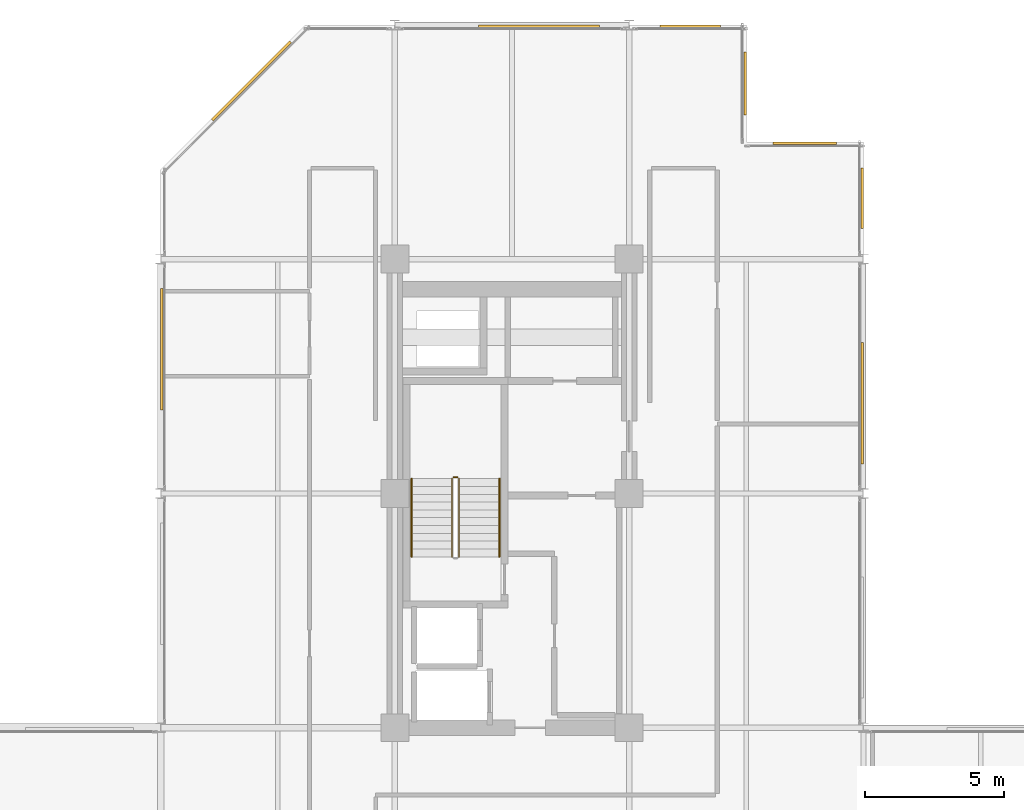
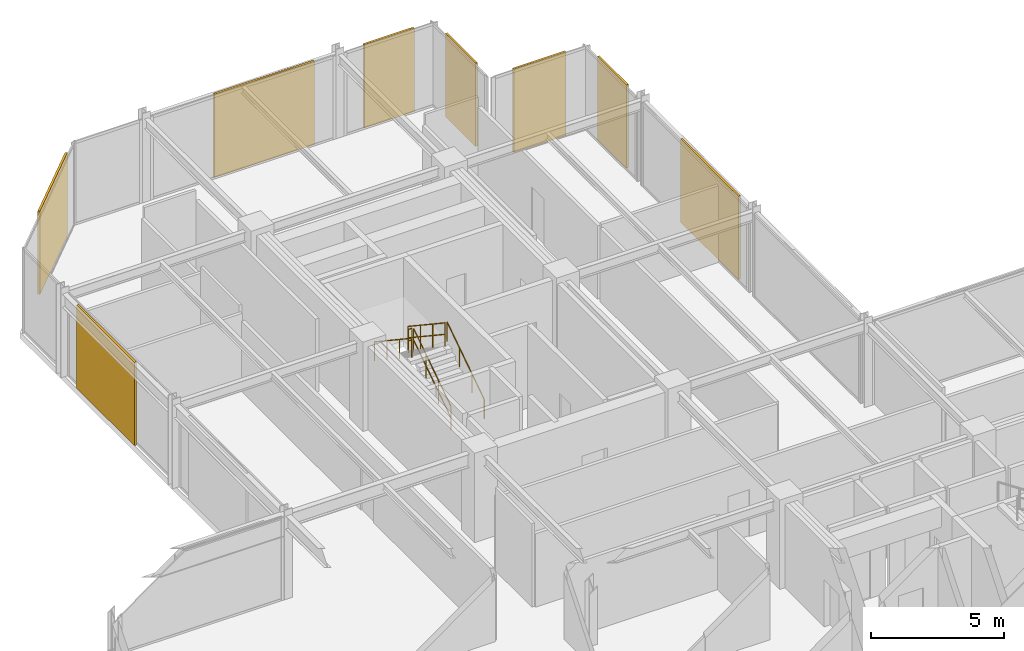
# One storey, part 29 of 29: 8 coverings, 5 railings.
"""IFC4 building model written with IfcOpenShell, lengths in metres."""

import ifcopenshell
import ifcopenshell.guid

model = None  # the IFC model being written
_history = None  # IfcOwnerHistory: only IFC2X3 demands one
_inside = {}  # id of a spatial element -> (the spatial element, [elements in it])
_under = {}  # id of a project, library or spatial element -> (it, [spatial elements below it])
_declared = {}  # id of a project -> (the project, [libraries it declares])
_typed = {}  # id of a type object -> (the type object, [elements of that type])
_made_of = {}  # id of a material, layer set ... -> (it, [elements and type objects made of it])


def new_model(schema):
    """Start an empty IFC model of exactly this schema.

    Asked for "IFC4X3", IfcOpenShell would pick the latest addendum, in which some entities
    have other attributes; the version numbers below select the first issue.
    IFC2X3 requires an IfcOwnerHistory on every rooted entity: one is made here for all.
    """
    global model, _history
    if schema == "IFC4X3":
        model = ifcopenshell.file(schema_version=(4, 3, 0, 0))
    else:
        model = ifcopenshell.file(schema=schema)
    _inside.clear()
    _under.clear()
    _declared.clear()
    _typed.clear()
    _made_of.clear()
    _history = None
    if model.schema == "IFC2X3":
        org = make("IfcOrganization", Name="unknown")
        user = make(
            "IfcPersonAndOrganization",
            ThePerson=make("IfcPerson", FamilyName="unknown"),
            TheOrganization=org,
        )
        app = make(
            "IfcApplication",
            ApplicationDeveloper=org,
            Version="unknown",
            ApplicationFullName="unknown",
            ApplicationIdentifier="unknown",
        )
        _history = make(
            "IfcOwnerHistory",
            OwningUser=user,
            OwningApplication=app,
            ChangeAction="ADDED",
            CreationDate=0,
        )
    return model


def make(cls, **values):
    """One entity of the class cls with the attributes given. An attribute that is None is left unset."""
    return model.create_entity(
        cls, **{name: value for name, value in values.items() if value is not None}
    )


def rooted(cls, **values):
    """An entity with a GlobalId (a new one), such as an element, a storey or a relation."""
    return make(cls, GlobalId=ifcopenshell.guid.new(), OwnerHistory=_history, **values)


def si_unit(unit_type, name, prefix=None):
    """IfcSIUnit, for example si_unit("LENGTHUNIT", "METRE", prefix="MILLI")."""
    return make("IfcSIUnit", UnitType=unit_type, Prefix=prefix, Name=name)


def assignment(units):
    """IfcUnitAssignment: the units of a project."""
    return None if units is None else make("IfcUnitAssignment", Units=units)


def point(xyz):
    """IfcCartesianPoint."""
    return None if xyz is None else make("IfcCartesianPoint", Coordinates=xyz)


def direction(xyz):
    """IfcDirection."""
    return None if xyz is None else make("IfcDirection", DirectionRatios=xyz)


def frame(location, z_axis=None, x_axis=None):
    """IfcAxis2Placement3D, a coordinate frame: its origin and axes. An axis left out is left unset."""
    return make(
        "IfcAxis2Placement3D",
        Location=point(location),
        Axis=direction(z_axis),
        RefDirection=direction(x_axis),
    )


def frame_2d(location, x_axis=None):
    """IfcAxis2Placement2D, a coordinate frame in the plane: its origin and x axis."""
    return make(
        "IfcAxis2Placement2D", Location=point(location), RefDirection=direction(x_axis)
    )


def origin():
    """The frame at (0, 0, 0) with its axes left unset."""
    return frame((0.0, 0.0, 0.0))


def origin_2d():
    """The frame at (0, 0) in the plane with its x axis left unset."""
    return frame_2d((0.0, 0.0))


def place(relative_to, where):
    """IfcLocalPlacement: puts the frame where relative to a parent placement (None: the world)."""
    return make(
        "IfcLocalPlacement", PlacementRelTo=relative_to, RelativePlacement=where
    )


def context(
    kind, dimensions, precision=None, world=None, true_north=None, identifier=None
):
    """IfcGeometricRepresentationContext, for example the 3D "Model" context."""
    return make(
        "IfcGeometricRepresentationContext",
        ContextIdentifier=identifier,
        ContextType=kind,
        CoordinateSpaceDimension=dimensions,
        Precision=precision,
        WorldCoordinateSystem=world,
        TrueNorth=true_north,
    )


def subcontext(parent, identifier, kind, view, scale=None):
    """IfcGeometricRepresentationSubContext, for example "Body" below "Model"."""
    return make(
        "IfcGeometricRepresentationSubContext",
        ContextIdentifier=identifier,
        ContextType=kind,
        ParentContext=parent,
        TargetScale=scale,
        TargetView=view,
    )


def project(units=None, contexts=None):
    """IfcProject with its units and contexts."""
    return rooted(
        "IfcProject",
        Name="project",
        RepresentationContexts=contexts,
        UnitsInContext=assignment(units),
    )


def spatial(cls, under=None, at=None, **own):
    """A site, building, storey or space (cls), placed at a placement, below another one or the project."""
    s = rooted(cls, ObjectPlacement=at, **own)
    if under is not None:
        _under.setdefault(under.id(), (under, []))[1].append(s)
    return s


def profile(cls, at=None, kind="AREA", **sizes):
    """A parametric profile (cls). Its sizes go by their IFC names, for example OverallWidth=200.0."""
    return make(cls, ProfileType=kind, Position=at, **sizes)


def rectangle(**sizes):
    """IfcRectangleProfileDef."""
    return profile("IfcRectangleProfileDef", **sizes)


def circle(**sizes):
    """IfcCircleProfileDef."""
    return profile("IfcCircleProfileDef", **sizes)


def extrude(swept, where, along, depth):
    """IfcExtrudedAreaSolid: the profile swept, set in the frame where, extruded along a direction by depth."""
    return make(
        "IfcExtrudedAreaSolid",
        SweptArea=swept,
        Position=where,
        ExtrudedDirection=direction(along),
        Depth=depth,
    )


def shape(context_of_items, identifier, shape_type, items):
    """IfcShapeRepresentation: the items that make up one representation, for example the "Body"."""
    return make(
        "IfcShapeRepresentation",
        ContextOfItems=context_of_items,
        RepresentationIdentifier=identifier,
        RepresentationType=shape_type,
        Items=items,
    )


def material(Name=None, Category=None):
    """IfcMaterial."""
    return make("IfcMaterial", Name=Name, Category=Category)


def layer(
    of_material, thickness, ventilated=None, Name=None, Category=None, Priority=None
):
    """IfcMaterialLayer: one layer of a wall or slab, of a material (None: an air gap)."""
    return make(
        "IfcMaterialLayer",
        Material=of_material,
        LayerThickness=thickness,
        IsVentilated=ventilated,
        Name=Name,
        Category=Category,
        Priority=Priority,
    )


def layer_set(layers, Name=None):
    """IfcMaterialLayerSet."""
    return make("IfcMaterialLayerSet", MaterialLayers=layers, LayerSetName=Name)


def made_of(thing, what):
    """Note that an element or type object is made of a material, layer set ...; save() writes the relation."""
    if what is not None:
        _made_of.setdefault(what.id(), (what, []))[1].append(thing)
    return thing


def type_object(cls, material=None, **own):
    """A type object (cls), such as IfcWallType, which elements share."""
    return made_of(rooted(cls, **own), material)


def element(
    cls,
    number,
    at=None,
    inside=None,
    cuts=None,
    type_object=None,
    material=None,
    context=None,
    identifier="Body",
    shape_type=None,
    held_by="IfcProductDefinitionShape",
    body=None,
    shapes=None,
    **own,
):
    """One element of the class cls, such as IfcWall. Its Tag is "e" and its number.

    at: its placement. inside: the storey or other place that contains it. cuts: it is an
    opening in that element (IfcRelVoidsElement). A single representation is given by context,
    identifier, shape_type and body (its items); several are given by shapes. held_by: the class
    of the entity that holds the representations. save() writes the other relations.
    """
    e = rooted(cls, Tag="e%d" % number, ObjectPlacement=at, **own)
    if body is not None:
        shapes = [shape(context, identifier, shape_type, body)]
    if shapes is not None:
        e.Representation = make(held_by, Representations=shapes)
    if inside is not None:
        _inside.setdefault(inside.id(), (inside, []))[1].append(e)
    if cuts is not None:
        rooted(
            "IfcRelVoidsElement", RelatingBuildingElement=cuts, RelatedOpeningElement=e
        )
    if type_object is not None:
        _typed.setdefault(type_object.id(), (type_object, []))[1].append(e)
    return made_of(e, material)


def aggregate(whole, parts):
    """IfcRelAggregates: a whole, such as a stair, and the parts it consists of."""
    return rooted("IfcRelAggregates", RelatingObject=whole, RelatedObjects=parts)


def save(model, path):
    """Write the relations noted so far, then the file.

    IfcRelAggregates (storeys below a building ...), IfcRelContainedInSpatialStructure (elements
    in a storey), IfcRelDefinesByType, IfcRelAssociatesMaterial and IfcRelDeclares: one each for
    every whole, place, type object, material and project.
    """
    for whole, parts in _under.values():
        aggregate(whole, parts)
    for where, things in _inside.values():
        rooted(
            "IfcRelContainedInSpatialStructure",
            RelatedElements=things,
            RelatingStructure=where,
        )
    for kind, things in _typed.values():
        rooted("IfcRelDefinesByType", RelatedObjects=things, RelatingType=kind)
    for what, things in _made_of.values():
        rooted("IfcRelAssociatesMaterial", RelatedObjects=things, RelatingMaterial=what)
    for by, libraries in _declared.values():
        rooted("IfcRelDeclares", RelatingContext=by, RelatedDefinitions=libraries)
    model.write(path)


model = new_model("IFC4")

# Units and contexts
model_context = context("Model", 3, precision=1e-05, world=origin(), true_north=direction((0.0, 1.0)))
body_context = subcontext(model_context, "Body", "Model", "MODEL_VIEW")
ifc_project = project(units=[si_unit("LENGTHUNIT", "METRE"), si_unit("AREAUNIT", "SQUARE_METRE"), si_unit("VOLUMEUNIT", "CUBIC_METRE"), si_unit("PLANEANGLEUNIT", "RADIAN"), si_unit("MASSUNIT", "GRAM", prefix="KILO")], contexts=[model_context])

# Site, building, storey
site_placement = place(None, origin())
site = spatial("IfcSite", under=ifc_project, at=site_placement, CompositionType="ELEMENT")
building_placement = place(site_placement, origin())
building = spatial("IfcBuilding", under=site, at=building_placement, Name="Nerrivon Quay Data Exchange", CompositionType="ELEMENT")
storey_placement = place(building_placement, frame((0.0, 0.0, 200.10009765625)))
storey = spatial("IfcBuildingStorey", under=building, at=storey_placement, Name="L47", CompositionType="ELEMENT", Elevation=200.10009765625)

# Coverings
ifc_material_1 = material(Name="Architectural terracotta ceramic", Category="masonry")
ifc_layer = layer(ifc_material_1, 0.090087890625)
ifc_layer_set = layer_set([ifc_layer], Name="Architectural terracotta ceramic")
covering_type = type_object("IfcCoveringType", Name="COV-SCR-TERR", PredefinedType="CLADDING", material=ifc_layer_set)
covering_1_placement = place(storey_placement, frame((0.044921875, 38.76611328125, 0.0), z_axis=(0.0, 0.0, 1.0), x_axis=(0.0, 1.0, 0.0)))
element("IfcCovering", 1, at=covering_1_placement, inside=storey, type_object=covering_type, Name="L47 Perforated Terracotta SOLAR SCREEN Cassette", PredefinedType="CLADDING", context=body_context, shape_type="SweptSolid", body=[
    extrude(rectangle(XDim=4.346923828125, YDim=0.090087890625, at=origin_2d()), origin(), (0.0, 0.0, 1.0), 3.824951171875),
])
covering_2_placement = place(storey_placement, frame((3.255859375, 48.39208984375, 0.0), z_axis=(0.0, 0.0, 1.0), x_axis=(0.707106781187, 0.707106781187, 0.0)))
element("IfcCovering", 2, at=covering_2_placement, inside=storey, type_object=covering_type, Name="L47 Perforated Terracotta SOLAR SCREEN Cassette", PredefinedType="CLADDING", context=body_context, shape_type="SweptSolid", body=[
    extrude(rectangle(XDim=3.970947265625, YDim=0.090087890625, at=origin_2d()), origin(), (0.0, 0.0, 1.0), 3.824951171875),
])
covering_3_placement = place(storey_placement, frame((13.56591796875, 50.35498046875, 0.0), z_axis=(0.0, 0.0, 1.0), x_axis=(1.0, 0.0, 0.0)))
element("IfcCovering", 3, at=covering_3_placement, inside=storey, type_object=covering_type, Name="L47 Perforated Terracotta SOLAR SCREEN Cassette", PredefinedType="CLADDING", context=body_context, shape_type="SweptSolid", body=[
    extrude(rectangle(XDim=4.346923828125, YDim=0.090087890625, at=origin_2d()), origin(), (0.0, 0.0, 1.0), 3.824951171875),
])
covering_4_placement = place(storey_placement, frame((18.987548828125, 50.35498046875, 0.0), z_axis=(0.0, 0.0, 1.0), x_axis=(1.0, 0.0, 0.0)))
element("IfcCovering", 4, at=covering_4_placement, inside=storey, type_object=covering_type, Name="L47 Perforated Terracotta SOLAR SCREEN Cassette", PredefinedType="CLADDING", context=body_context, shape_type="SweptSolid", body=[
    extrude(rectangle(XDim=2.173095703125, YDim=0.090087890625, at=origin_2d()), origin(), (0.0, 0.0, 1.0), 3.824951171875),
])
for number, where, z_axis, x_axis, name in (
    (5, (20.955078125, 48.300048828125, 0.0), (0.0, 0.0, 1.0), (0.0, -1.0, 0.0), "L47 Perforated Terracotta SOLAR SCREEN Cassette"),
    (6, (23.10009765625, 46.155029296875, 0.0), (0.0, 0.0, 1.0), (1.0, 0.0, 0.0), "L47 Perforated Terracotta SOLAR SCREEN Cassette"),
):
    element("IfcCovering", number, at=place(storey_placement, frame(where, z_axis=z_axis, x_axis=x_axis)), inside=storey, type_object=covering_type, Name=name, PredefinedType="CLADDING", context=body_context, shape_type="SweptSolid", body=[
        extrude(rectangle(XDim=2.26806640625, YDim=0.090087890625, at=origin_2d()), origin(), (0.0, 0.0, 1.0), 3.824951171875),
    ])
covering_5_placement = place(storey_placement, frame((25.155029296875, 44.1875, 0.0), z_axis=(0.0, 0.0, 1.0), x_axis=(0.0, -1.0, 0.0)))
element("IfcCovering", 7, at=covering_5_placement, inside=storey, type_object=covering_type, Name="L47 Perforated Terracotta SOLAR SCREEN Cassette", PredefinedType="CLADDING", context=body_context, shape_type="SweptSolid", body=[
    extrude(rectangle(XDim=2.174072265625, YDim=0.090087890625, at=origin_2d()), origin(), (0.0, 0.0, 1.0), 3.824951171875),
])
covering_6_placement = place(storey_placement, frame((25.155029296875, 36.833984375, 0.0), z_axis=(0.0, 0.0, 1.0), x_axis=(0.0, -1.0, 0.0)))
element("IfcCovering", 8, at=covering_6_placement, inside=storey, type_object=covering_type, Name="L47 Perforated Terracotta SOLAR SCREEN Cassette", PredefinedType="CLADDING", context=body_context, shape_type="SweptSolid", body=[
    extrude(rectangle(XDim=4.346923828125, YDim=0.090087890625, at=origin_2d()), origin(), (0.0, 0.0, 1.0), 3.824951171875),
])

# Railings
ifc_material_2 = material(Name="Steel Grade C350L0 (350 MPa)", Category="steel")
railing_type_1 = type_object("IfcRailingType", Name="RAIL-HAND-HR1", PredefinedType="HANDRAIL", material=ifc_material_2)
railing_1_placement = place(storey_placement, frame((12.14990234375, 31.330078125, 0.186279296875)))
element("IfcRailing", 9, at=railing_1_placement, inside=storey, type_object=railing_type_1, Name="L47 ST01 stair handrail 1", PredefinedType="HANDRAIL", context=body_context, shape_type="SweptSolid", body=[
    extrude(circle(Radius=0.02392578125, at=origin_2d()), frame((0.0, 0.0, 0.8759765625), z_axis=(0.0, 0.832463268671, 0.554080234545), x_axis=(-1.0, 0.0, 0.0)), (0.0, 0.0, 1.0), 3.36328125),
    extrude(circle(Radius=0.02099609375, at=origin_2d()), origin(), (0.0, 0.0, 1.0), 0.851806640625),
    extrude(circle(Radius=0.02099609375, at=origin_2d()), frame((0.0, 0.933349609375, 0.62109375)), (0.0, 0.0, 1.0), 0.851806640625),
    extrude(circle(Radius=0.02099609375, at=origin_2d()), frame((0.0, 1.866455078125, 1.242431640625)), (0.0, 0.0, 1.0), 0.851806640625),
    extrude(circle(Radius=0.02099609375, at=origin_2d()), frame((0.0, 2.7998046875, 1.863525390625)), (0.0, 0.0, 1.0), 0.851806640625),
])
railing_2_placement = place(storey_placement, frame((9.0, 34.1298828125, 2.236328125)))
element("IfcRailing", 10, at=railing_2_placement, inside=storey, type_object=railing_type_1, Name="L47 ST01 stair handrail 2", PredefinedType="HANDRAIL", context=body_context, shape_type="SweptSolid", body=[
    extrude(circle(Radius=0.02392578125, at=origin_2d()), frame((0.0, 0.0, 0.8759765625), z_axis=(0.0, -0.832463268671, 0.554080234545), x_axis=(1.0, 0.0, 0.0)), (0.0, 0.0, 1.0), 3.36328125),
    extrude(circle(Radius=0.02099609375, at=origin_2d()), origin(), (0.0, 0.0, 1.0), 0.851806640625),
    extrude(circle(Radius=0.02099609375, at=origin_2d()), frame((0.0, -0.933349609375, 0.62109375)), (0.0, 0.0, 1.0), 0.851806640625),
    extrude(circle(Radius=0.02099609375, at=origin_2d()), frame((0.0, -1.866455078125, 1.242431640625)), (0.0, 0.0, 1.0), 0.851806640625),
    extrude(circle(Radius=0.02099609375, at=origin_2d()), frame((0.0, -2.7998046875, 1.863525390625)), (0.0, 0.0, 1.0), 0.851806640625),
])
railing_type_2 = type_object("IfcRailingType", Name="RAIL-STAIR-GR1", PredefinedType="BALUSTRADE", material=ifc_material_2)
railing_3_placement = place(storey_placement, frame((10.699951171875, 31.330078125, 0.186279296875)))
element("IfcRailing", 11, at=railing_3_placement, inside=storey, type_object=railing_type_2, Name="L47 ST01 stair guard 1", PredefinedType="BALUSTRADE", context=body_context, shape_type="SweptSolid", body=[
    extrude(circle(Radius=0.02392578125, at=origin_2d()), frame((0.0, 0.0, 1.076171875), z_axis=(0.0, 0.832463268671, 0.554080234545), x_axis=(-1.0, 0.0, 0.0)), (0.0, 0.0, 1.0), 3.36328125),
    extrude(circle(Radius=0.02392578125, at=origin_2d()), frame((0.0, 0.0, 0.550048828125), z_axis=(0.0, 0.832463268671, 0.554080234545), x_axis=(-1.0, 0.0, 0.0)), (0.0, 0.0, 1.0), 3.36328125),
    extrude(circle(Radius=0.02099609375, at=origin_2d()), origin(), (0.0, 0.0, 1.0), 1.052001953125),
    extrude(circle(Radius=0.02099609375, at=origin_2d()), frame((0.0, 0.933349609375, 0.62109375)), (0.0, 0.0, 1.0), 1.052001953125),
    extrude(circle(Radius=0.02099609375, at=origin_2d()), frame((0.0, 1.866455078125, 1.242431640625)), (0.0, 0.0, 1.0), 1.052001953125),
    extrude(circle(Radius=0.02099609375, at=origin_2d()), frame((0.0, 2.7998046875, 1.863525390625)), (0.0, 0.0, 1.0), 1.052001953125),
])
railing_4_placement = place(storey_placement, frame((10.64990234375, 34.179931640625, 2.0498046875)))
element("IfcRailing", 12, at=railing_4_placement, inside=storey, type_object=railing_type_2, Name="L47 ST01 stair guard 2", PredefinedType="BALUSTRADE", context=body_context, shape_type="SweptSolid", body=[
    extrude(circle(Radius=0.02392578125, at=origin_2d()), frame((0.0, 0.0, 1.076171875), z_axis=(-1.0, 0.0, 0.0), x_axis=(0.0, -1.0, 0.0)), (0.0, 0.0, 1.0), 0.14990234375),
    extrude(circle(Radius=0.02392578125, at=origin_2d()), frame((0.0, 0.0, 0.550048828125), z_axis=(-1.0, 0.0, 0.0), x_axis=(0.0, -1.0, 0.0)), (0.0, 0.0, 1.0), 0.14990234375),
    extrude(circle(Radius=0.02099609375, at=origin_2d()), origin(), (0.0, 0.0, 1.0), 1.052001953125),
    extrude(circle(Radius=0.02099609375, at=origin_2d()), frame((-0.14990234375, 0.0, 0.0)), (0.0, 0.0, 1.0), 1.052001953125),
])
railing_5_placement = place(storey_placement, frame((10.449951171875, 34.1298828125, 2.236328125)))
element("IfcRailing", 13, at=railing_5_placement, inside=storey, type_object=railing_type_2, Name="L47 ST01 stair guard 3", PredefinedType="BALUSTRADE", context=body_context, shape_type="SweptSolid", body=[
    extrude(circle(Radius=0.02392578125, at=origin_2d()), frame((0.0, 0.0, 1.076171875), z_axis=(0.0, -0.832463268671, 0.554080234545), x_axis=(1.0, 0.0, 0.0)), (0.0, 0.0, 1.0), 3.36328125),
    extrude(circle(Radius=0.02392578125, at=origin_2d()), frame((0.0, 0.0, 0.550048828125), z_axis=(0.0, -0.832463268671, 0.554080234545), x_axis=(1.0, 0.0, 0.0)), (0.0, 0.0, 1.0), 3.36328125),
    extrude(circle(Radius=0.02099609375, at=origin_2d()), origin(), (0.0, 0.0, 1.0), 1.052001953125),
    extrude(circle(Radius=0.02099609375, at=origin_2d()), frame((0.0, -0.933349609375, 0.62109375)), (0.0, 0.0, 1.0), 1.052001953125),
    extrude(circle(Radius=0.02099609375, at=origin_2d()), frame((0.0, -1.866455078125, 1.242431640625)), (0.0, 0.0, 1.0), 1.052001953125),
    extrude(circle(Radius=0.02099609375, at=origin_2d()), frame((0.0, -2.7998046875, 1.863525390625)), (0.0, 0.0, 1.0), 1.052001953125),
])

save(model, "model.ifc")
